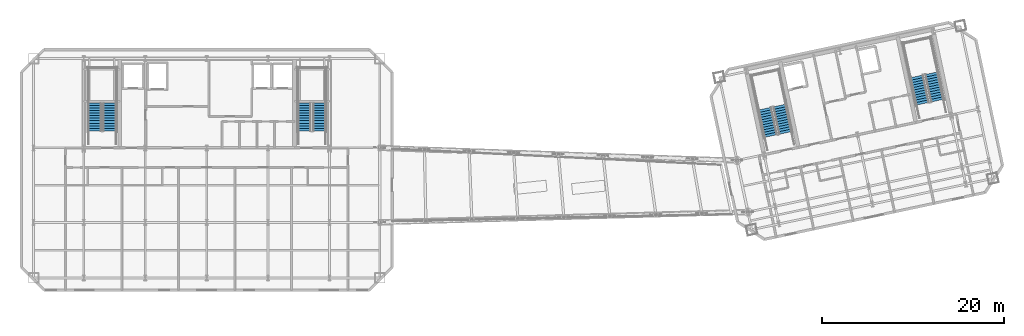
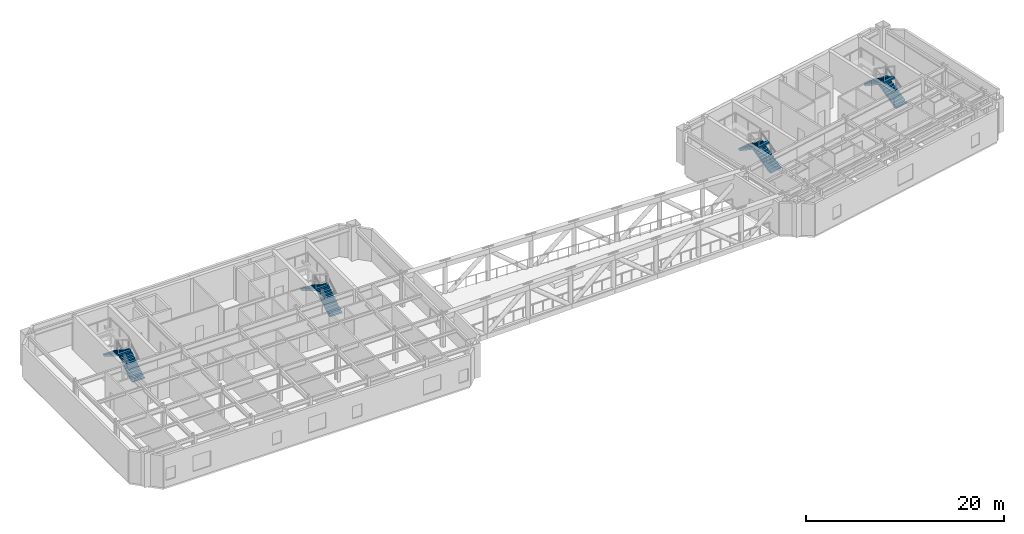
# One storey, part 11 of 14: 8 stair flights, 4 elements without a shape of their own.
"""IFC4 building model written with IfcOpenShell, lengths in metres."""

from ifc_helpers import new_model, si_unit, direction, frame, origin, place, context, subcontext, project, spatial, polyline, outline, extrude, material, type_object, element, aggregate, save


model = new_model("IFC4")

# Units and contexts
model_context = context("Model", 3, precision=1e-05, world=origin(), true_north=direction((0.0, 1.0)))
body_context = subcontext(model_context, "Body", "Model", "MODEL_VIEW")
ifc_project = project(units=[si_unit("LENGTHUNIT", "METRE"), si_unit("AREAUNIT", "SQUARE_METRE"), si_unit("VOLUMEUNIT", "CUBIC_METRE"), si_unit("PLANEANGLEUNIT", "RADIAN"), si_unit("MASSUNIT", "GRAM", prefix="KILO")], contexts=[model_context])

# Site, building, storey
site_placement = place(None, origin())
site = spatial("IfcSite", under=ifc_project, at=site_placement, CompositionType="ELEMENT")
building_placement = place(site_placement, origin())
building = spatial("IfcBuilding", under=site, at=building_placement, Name="Haevon Station Towers", CompositionType="ELEMENT")
storey_placement = place(building_placement, frame((0.0, 0.0, 201.300048828125)))
storey = spatial("IfcBuildingStorey", under=building, at=storey_placement, Name="L55", CompositionType="ELEMENT", Elevation=201.300048828125)

# Stair, stair flights
ifc_material = material(Name="Concrete C40/50", Category="concrete")
stair_type = type_object("IfcStairType", Name="STR-DL1450", PredefinedType="USERDEFINED", material=ifc_material)
stair_1_placement = place(storey_placement, origin())
stair_1 = element("IfcStair", 1, at=stair_1_placement, inside=storey, type_object=stair_type, Name="L55 Escape Stair ST1", ObjectType="TWO_RETURN_STAIR", PredefinedType="USERDEFINED")
stair_flight_type = type_object("IfcStairFlightType", Name="STF-ST1450", PredefinedType="STRAIGHT", material=ifc_material)
stair_flight_1_placement = place(storey_placement, frame((26.85498046875, 40.050048828125, 0.0), z_axis=(0.0, 0.0, 1.0), x_axis=(0.0, 1.0, 0.0)))
stair_flight_1 = element("IfcStairFlight", 2, at=stair_flight_1_placement, type_object=stair_flight_type, Name="L55 ST1 Flight 1", NumberOfRisers=12, NumberOfTreads=11, PredefinedType="STRAIGHT", RiserHeight=0.175, TreadLength=0.28, context=body_context, shape_type="SweptSolid", body=[
    extrude(outline(polyline([(0.0, 0.0), (0.0, 0.175048828125), (0.280029296875, 0.175048828125), (0.280029296875, 0.35009765625), (0.56005859375, 0.35009765625), (0.56005859375, 0.52490234375), (0.840087890625, 0.52490234375), (0.840087890625, 0.699951171875), (1.1201171875, 0.699951171875), (1.1201171875, 0.875), (1.39990234375, 0.875), (1.39990234375, 1.050048828125), (1.679931640625, 1.050048828125), (1.679931640625, 1.22509765625), (1.9599609375, 1.22509765625), (1.9599609375, 1.39990234375), (2.239990234375, 1.39990234375), (2.239990234375, 1.574951171875), (2.52001953125, 1.574951171875), (2.52001953125, 1.75), (2.800048828125, 1.75), (2.800048828125, 1.925048828125), (3.080078125, 1.925048828125), (3.080078125, 2.10009765625), (3.080078125, 1.736328125), (0.3017578125, 0.0), (0.0, 0.0)])), frame((0.0, 0.72509765625, 0.0), z_axis=(0.0, -1.0, 0.0), x_axis=(1.0, 0.0, 0.0)), (0.0, 0.0, 1.0), 1.449951171875),
])
stair_flight_2_placement = place(storey_placement, frame((25.205078125, 43.1298828125, 2.099853515625), z_axis=(0.0, 0.0, 1.0), x_axis=(0.0, -1.0, 0.0)))
stair_flight_2 = element("IfcStairFlight", 3, at=stair_flight_2_placement, type_object=stair_flight_type, Name="L55 ST1 Flight 2", NumberOfRisers=12, NumberOfTreads=11, PredefinedType="STRAIGHT", RiserHeight=0.175, TreadLength=0.28, context=body_context, shape_type="SweptSolid", body=[
    extrude(outline(polyline([(0.0, 0.0), (0.0, 0.175048828125), (0.280029296875, 0.175048828125), (0.280029296875, 0.35009765625), (0.56005859375, 0.35009765625), (0.56005859375, 0.52490234375), (0.840087890625, 0.52490234375), (0.840087890625, 0.699951171875), (1.1201171875, 0.699951171875), (1.1201171875, 0.875), (1.39990234375, 0.875), (1.39990234375, 1.050048828125), (1.679931640625, 1.050048828125), (1.679931640625, 1.22509765625), (1.9599609375, 1.22509765625), (1.9599609375, 1.39990234375), (2.239990234375, 1.39990234375), (2.239990234375, 1.574951171875), (2.52001953125, 1.574951171875), (2.52001953125, 1.75), (2.800048828125, 1.75), (2.800048828125, 1.925048828125), (3.080078125, 1.925048828125), (3.080078125, 2.10009765625), (3.080078125, 1.736328125), (0.3017578125, 0.0), (0.0, 0.0)])), frame((0.0, 0.72509765625, 0.0), z_axis=(0.0, -1.0, 0.0), x_axis=(1.0, 0.0, 0.0)), (0.0, 0.0, 1.0), 1.449951171875),
])
aggregate(stair_1, [stair_flight_1, stair_flight_2])

stair_2_placement = place(storey_placement, origin())
stair_2 = element("IfcStair", 4, at=stair_2_placement, inside=storey, type_object=stair_type, Name="L55 Escape Stair ST2", ObjectType="TWO_RETURN_STAIR", PredefinedType="USERDEFINED")
stair_flight_3_placement = place(storey_placement, frame((49.89501953125, 40.050048828125, 0.0), z_axis=(0.0, 0.0, 1.0), x_axis=(0.0, 1.0, 0.0)))
stair_flight_3 = element("IfcStairFlight", 5, at=stair_flight_3_placement, type_object=stair_flight_type, Name="L55 ST2 Flight 1", NumberOfRisers=12, NumberOfTreads=11, PredefinedType="STRAIGHT", RiserHeight=0.175, TreadLength=0.28, context=body_context, shape_type="SweptSolid", body=[
    extrude(outline(polyline([(0.0, 0.0), (0.0, 0.175048828125), (0.280029296875, 0.175048828125), (0.280029296875, 0.35009765625), (0.56005859375, 0.35009765625), (0.56005859375, 0.52490234375), (0.840087890625, 0.52490234375), (0.840087890625, 0.699951171875), (1.1201171875, 0.699951171875), (1.1201171875, 0.875), (1.39990234375, 0.875), (1.39990234375, 1.050048828125), (1.679931640625, 1.050048828125), (1.679931640625, 1.22509765625), (1.9599609375, 1.22509765625), (1.9599609375, 1.39990234375), (2.239990234375, 1.39990234375), (2.239990234375, 1.574951171875), (2.52001953125, 1.574951171875), (2.52001953125, 1.75), (2.800048828125, 1.75), (2.800048828125, 1.925048828125), (3.080078125, 1.925048828125), (3.080078125, 2.10009765625), (3.080078125, 1.736328125), (0.3017578125, 0.0), (0.0, 0.0)])), frame((0.0, 0.72509765625, 0.0), z_axis=(0.0, -1.0, 0.0), x_axis=(1.0, 0.0, 0.0)), (0.0, 0.0, 1.0), 1.449951171875),
])
stair_flight_4_placement = place(storey_placement, frame((48.2451171875, 43.1298828125, 2.099853515625), z_axis=(0.0, 0.0, 1.0), x_axis=(0.0, -1.0, 0.0)))
stair_flight_4 = element("IfcStairFlight", 6, at=stair_flight_4_placement, type_object=stair_flight_type, Name="L55 ST2 Flight 2", NumberOfRisers=12, NumberOfTreads=11, PredefinedType="STRAIGHT", RiserHeight=0.175, TreadLength=0.28, context=body_context, shape_type="SweptSolid", body=[
    extrude(outline(polyline([(0.0, 0.0), (0.0, 0.175048828125), (0.280029296875, 0.175048828125), (0.280029296875, 0.35009765625), (0.56005859375, 0.35009765625), (0.56005859375, 0.52490234375), (0.840087890625, 0.52490234375), (0.840087890625, 0.699951171875), (1.1201171875, 0.699951171875), (1.1201171875, 0.875), (1.39990234375, 0.875), (1.39990234375, 1.050048828125), (1.679931640625, 1.050048828125), (1.679931640625, 1.22509765625), (1.9599609375, 1.22509765625), (1.9599609375, 1.39990234375), (2.239990234375, 1.39990234375), (2.239990234375, 1.574951171875), (2.52001953125, 1.574951171875), (2.52001953125, 1.75), (2.800048828125, 1.75), (2.800048828125, 1.925048828125), (3.080078125, 1.925048828125), (3.080078125, 2.10009765625), (3.080078125, 1.736328125), (0.3017578125, 0.0), (0.0, 0.0)])), frame((0.0, 0.72509765625, 0.0), z_axis=(0.0, -1.0, 0.0), x_axis=(1.0, 0.0, 0.0)), (0.0, 0.0, 1.0), 1.449951171875),
])
aggregate(stair_2, [stair_flight_3, stair_flight_4])

stair_3_placement = place(storey_placement, origin())
stair_3 = element("IfcStair", 7, at=stair_3_placement, inside=storey, type_object=stair_type, Name="L55 Escape Stair ST3", ObjectType="TWO_RETURN_STAIR", PredefinedType="USERDEFINED")
stair_flight_5_placement = place(storey_placement, frame((101.1015625, 39.8330078125, 0.0), z_axis=(0.0, 0.0, 1.0), x_axis=(-0.207911690818, 0.978147600734, 0.0)))
stair_flight_5 = element("IfcStairFlight", 8, at=stair_flight_5_placement, type_object=stair_flight_type, Name="L55 ST3 Flight 1", NumberOfRisers=12, NumberOfTreads=11, PredefinedType="STRAIGHT", RiserHeight=0.175, TreadLength=0.28, context=body_context, shape_type="SweptSolid", body=[
    extrude(outline(polyline([(0.0, 0.0), (0.0, 0.175048828125), (0.280029296875, 0.175048828125), (0.280029296875, 0.35009765625), (0.56005859375, 0.35009765625), (0.56005859375, 0.52490234375), (0.840087890625, 0.52490234375), (0.840087890625, 0.699951171875), (1.1201171875, 0.699951171875), (1.1201171875, 0.875), (1.39990234375, 0.875), (1.39990234375, 1.050048828125), (1.679931640625, 1.050048828125), (1.679931640625, 1.22509765625), (1.9599609375, 1.22509765625), (1.9599609375, 1.39990234375), (2.239990234375, 1.39990234375), (2.239990234375, 1.574951171875), (2.52001953125, 1.574951171875), (2.52001953125, 1.75), (2.800048828125, 1.75), (2.800048828125, 1.925048828125), (3.080078125, 1.925048828125), (3.080078125, 2.10009765625), (3.080078125, 1.736328125), (0.3017578125, 0.0), (0.0, 0.0)])), frame((0.0, 0.72509765625, 0.0), z_axis=(0.0, -1.0, 0.0), x_axis=(1.0, 0.0, 0.0)), (0.0, 0.0, 1.0), 1.449951171875),
])
stair_flight_6_placement = place(storey_placement, frame((98.847412109375, 42.502685546875, 2.099853515625), z_axis=(0.0, 0.0, 1.0), x_axis=(0.207911690818, -0.978147600734, 0.0)))
stair_flight_6 = element("IfcStairFlight", 9, at=stair_flight_6_placement, type_object=stair_flight_type, Name="L55 ST3 Flight 2", NumberOfRisers=12, NumberOfTreads=11, PredefinedType="STRAIGHT", RiserHeight=0.175, TreadLength=0.28, context=body_context, shape_type="SweptSolid", body=[
    extrude(outline(polyline([(0.0, 0.0), (0.0, 0.175048828125), (0.280029296875, 0.175048828125), (0.280029296875, 0.35009765625), (0.56005859375, 0.35009765625), (0.56005859375, 0.52490234375), (0.840087890625, 0.52490234375), (0.840087890625, 0.699951171875), (1.1201171875, 0.699951171875), (1.1201171875, 0.875), (1.39990234375, 0.875), (1.39990234375, 1.050048828125), (1.679931640625, 1.050048828125), (1.679931640625, 1.22509765625), (1.9599609375, 1.22509765625), (1.9599609375, 1.39990234375), (2.239990234375, 1.39990234375), (2.239990234375, 1.574951171875), (2.52001953125, 1.574951171875), (2.52001953125, 1.75), (2.800048828125, 1.75), (2.800048828125, 1.925048828125), (3.080078125, 1.925048828125), (3.080078125, 2.10009765625), (3.080078125, 1.736328125), (0.3017578125, 0.0), (0.0, 0.0)])), frame((0.0, 0.72509765625, 0.0), z_axis=(0.0, -1.0, 0.0), x_axis=(1.0, 0.0, 0.0)), (0.0, 0.0, 1.0), 1.449951171875),
])
aggregate(stair_3, [stair_flight_5, stair_flight_6])

stair_4_placement = place(storey_placement, origin())
stair_4 = element("IfcStair", 10, at=stair_4_placement, inside=storey, type_object=stair_type, Name="L55 Escape Stair ST4", ObjectType="TWO_RETURN_STAIR", PredefinedType="USERDEFINED")
stair_flight_7_placement = place(storey_placement, frame((117.788818359375, 43.380126953125, 0.0), z_axis=(0.0, 0.0, 1.0), x_axis=(-0.207911690818, 0.978147600734, 0.0)))
stair_flight_7 = element("IfcStairFlight", 11, at=stair_flight_7_placement, type_object=stair_flight_type, Name="L55 ST4 Flight 1", NumberOfRisers=12, NumberOfTreads=11, PredefinedType="STRAIGHT", RiserHeight=0.175, TreadLength=0.28, context=body_context, shape_type="SweptSolid", body=[
    extrude(outline(polyline([(0.0, 0.0), (0.0, 0.175048828125), (0.280029296875, 0.175048828125), (0.280029296875, 0.35009765625), (0.56005859375, 0.35009765625), (0.56005859375, 0.52490234375), (0.840087890625, 0.52490234375), (0.840087890625, 0.699951171875), (1.1201171875, 0.699951171875), (1.1201171875, 0.875), (1.39990234375, 0.875), (1.39990234375, 1.050048828125), (1.679931640625, 1.050048828125), (1.679931640625, 1.22509765625), (1.9599609375, 1.22509765625), (1.9599609375, 1.39990234375), (2.239990234375, 1.39990234375), (2.239990234375, 1.574951171875), (2.52001953125, 1.574951171875), (2.52001953125, 1.75), (2.800048828125, 1.75), (2.800048828125, 1.925048828125), (3.080078125, 1.925048828125), (3.080078125, 2.10009765625), (3.080078125, 1.736328125), (0.3017578125, 0.0), (0.0, 0.0)])), frame((0.0, 0.72509765625, 0.0), z_axis=(0.0, -1.0, 0.0), x_axis=(1.0, 0.0, 0.0)), (0.0, 0.0, 1.0), 1.449951171875),
])
stair_flight_8_placement = place(storey_placement, frame((115.534423828125, 46.0498046875, 2.099853515625), z_axis=(0.0, 0.0, 1.0), x_axis=(0.207911690818, -0.978147600734, 0.0)))
stair_flight_8 = element("IfcStairFlight", 12, at=stair_flight_8_placement, type_object=stair_flight_type, Name="L55 ST4 Flight 2", NumberOfRisers=12, NumberOfTreads=11, PredefinedType="STRAIGHT", RiserHeight=0.175, TreadLength=0.28, context=body_context, shape_type="SweptSolid", body=[
    extrude(outline(polyline([(0.0, 0.0), (0.0, 0.175048828125), (0.280029296875, 0.175048828125), (0.280029296875, 0.35009765625), (0.56005859375, 0.35009765625), (0.56005859375, 0.52490234375), (0.840087890625, 0.52490234375), (0.840087890625, 0.699951171875), (1.1201171875, 0.699951171875), (1.1201171875, 0.875), (1.39990234375, 0.875), (1.39990234375, 1.050048828125), (1.679931640625, 1.050048828125), (1.679931640625, 1.22509765625), (1.9599609375, 1.22509765625), (1.9599609375, 1.39990234375), (2.239990234375, 1.39990234375), (2.239990234375, 1.574951171875), (2.52001953125, 1.574951171875), (2.52001953125, 1.75), (2.800048828125, 1.75), (2.800048828125, 1.925048828125), (3.080078125, 1.925048828125), (3.080078125, 2.10009765625), (3.080078125, 1.736328125), (0.3017578125, 0.0), (0.0, 0.0)])), frame((0.0, 0.72509765625, 0.0), z_axis=(0.0, -1.0, 0.0), x_axis=(1.0, 0.0, 0.0)), (0.0, 0.0, 1.0), 1.449951171875),
])
aggregate(stair_4, [stair_flight_7, stair_flight_8])

save(model, "model.ifc")
